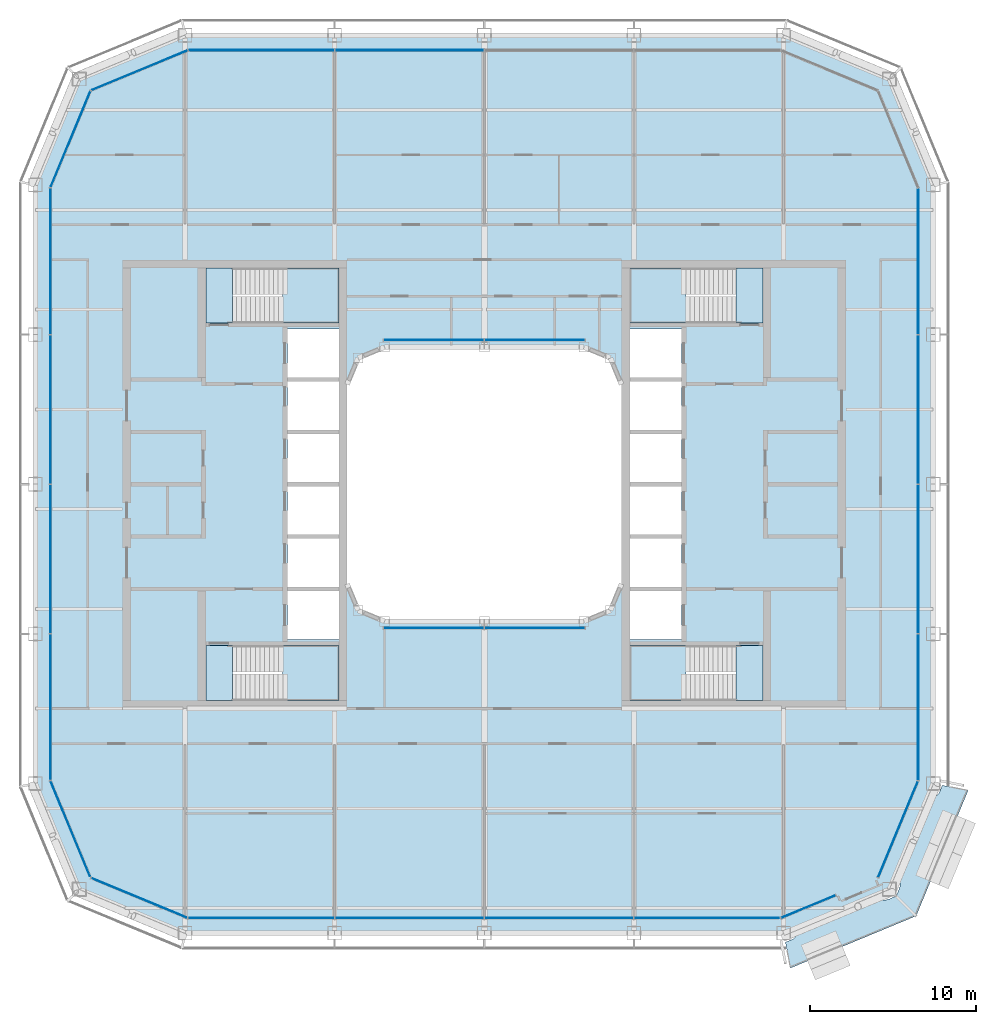
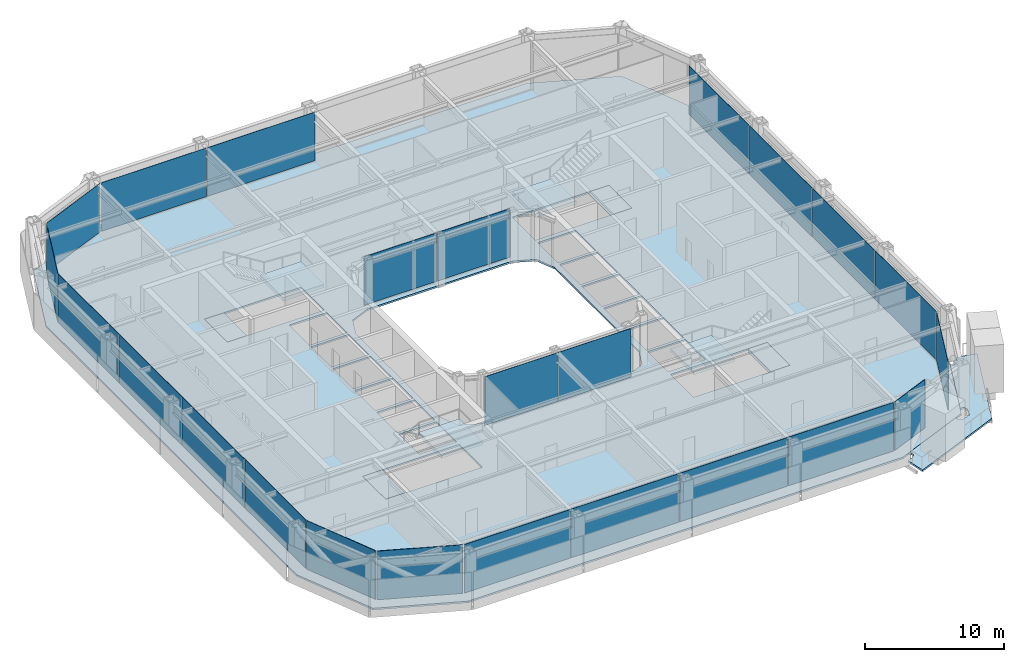
# One storey, part 11 of 22: 24 plates, 10 slabs, 16 elements without a shape of their own.
"""IFC4 building model written with IfcOpenShell, lengths in metres."""

from ifc_helpers import new_model, si_unit, direction, frame, origin, origin_2d, place, context, subcontext, project, spatial, polyline, rectangle, outline, extrude, material, layer, layer_set, type_object, element, aggregate, save


model = new_model("IFC4")

# Units and contexts
model_context = context("Model", 3, precision=1e-05, world=origin(), true_north=direction((0.0, 1.0)))
body_context = subcontext(model_context, "Body", "Model", "MODEL_VIEW")
ifc_project = project(units=[si_unit("LENGTHUNIT", "METRE"), si_unit("AREAUNIT", "SQUARE_METRE"), si_unit("VOLUMEUNIT", "CUBIC_METRE"), si_unit("PLANEANGLEUNIT", "RADIAN"), si_unit("MASSUNIT", "GRAM", prefix="KILO")], contexts=[model_context])

# Site, building, storey
site_placement = place(None, origin())
site = spatial("IfcSite", under=ifc_project, at=site_placement, CompositionType="ELEMENT")
building_placement = place(site_placement, origin())
building = spatial("IfcBuilding", under=site, at=building_placement, Name="Siwar Civic Tower", CompositionType="ELEMENT")
storey_placement = place(building_placement, frame((0.0, 0.0, 201.699951171875)))
storey = spatial("IfcBuildingStorey", under=building, at=storey_placement, Name="L43", CompositionType="ELEMENT", Elevation=201.699951171875)

# Stair, slabs
ifc_material_1 = material(Name="Concrete C40/50", Category="concrete")
stair_type = type_object("IfcStairType", Name="CORE-STAIR", PredefinedType="TWO_STRAIGHT_RUN_STAIR", material=ifc_material_1)
stair_1_placement = place(storey_placement, origin())
stair_1 = element("IfcStair", 1, at=stair_1_placement, inside=storey, type_object=stair_type, Name="Exit stair ST1", PredefinedType="TWO_STRAIGHT_RUN_STAIR")
ifc_material_2 = material(Name="Concrete C40/50", Category="concrete")
ifc_layer_1 = layer(ifc_material_2, 0.300048828125)
ifc_layer_set_1 = layer_set([ifc_layer_1], Name="Concrete C40/50")
slab_type_1 = type_object("IfcSlabType", Name="CORE-STAIR-LANDING", PredefinedType="LANDING", material=ifc_layer_set_1)
slab_1_placement = place(storey_placement, frame((0.0, 0.0, -0.300048828125)))
slab_1 = element("IfcSlab", 2, at=slab_1_placement, type_object=slab_type_1, Name="ST1 landing 1", PredefinedType="LANDING", context=body_context, shape_type="SweptSolid", body=[
    extrude(outline(polyline([(-15.14990234375, 13.0), (-16.75, 13.0), (-16.75, 9.699951171875), (-15.14990234375, 9.699951171875), (-15.14990234375, 13.0)])), origin(), (0.0, 0.0, 1.0), 0.300048828125),
])
slab_2_placement = place(storey_placement, frame((0.0, 0.0, 1.949951171875)))
slab_2 = element("IfcSlab", 3, at=slab_2_placement, type_object=slab_type_1, Name="ST1 landing 2", PredefinedType="LANDING", context=body_context, shape_type="SweptSolid", body=[
    extrude(outline(polyline([(-8.75, 13.0), (-12.139892578125, 13.0), (-12.139892578125, 9.699951171875), (-8.75, 9.699951171875), (-8.75, 13.0)])), origin(), (0.0, 0.0, 1.0), 0.300048828125),
])
aggregate(stair_1, [slab_1, slab_2])

stair_2_placement = place(storey_placement, origin())
stair_2 = element("IfcStair", 4, at=stair_2_placement, inside=storey, type_object=stair_type, Name="Exit stair ST2", PredefinedType="TWO_STRAIGHT_RUN_STAIR")
slab_3_placement = place(storey_placement, frame((0.0, 0.0, -0.300048828125)))
slab_3 = element("IfcSlab", 5, at=slab_3_placement, type_object=slab_type_1, Name="ST2 landing 1", PredefinedType="LANDING", context=body_context, shape_type="SweptSolid", body=[
    extrude(outline(polyline([(-15.14990234375, -9.699951171875), (-16.75, -9.699951171875), (-16.75, -13.0), (-15.14990234375, -13.0), (-15.14990234375, -9.699951171875)])), origin(), (0.0, 0.0, 1.0), 0.300048828125),
])
slab_4_placement = place(storey_placement, frame((0.0, 0.0, 1.949951171875)))
slab_4 = element("IfcSlab", 6, at=slab_4_placement, type_object=slab_type_1, Name="ST2 landing 2", PredefinedType="LANDING", context=body_context, shape_type="SweptSolid", body=[
    extrude(outline(polyline([(-8.75, -9.699951171875), (-12.139892578125, -9.699951171875), (-12.139892578125, -13.0), (-8.75, -13.0), (-8.75, -9.699951171875)])), origin(), (0.0, 0.0, 1.0), 0.300048828125),
])
aggregate(stair_2, [slab_3, slab_4])

stair_3_placement = place(storey_placement, origin())
stair_3 = element("IfcStair", 7, at=stair_3_placement, inside=storey, type_object=stair_type, Name="Exit stair ST3", PredefinedType="TWO_STRAIGHT_RUN_STAIR")
slab_5_placement = place(storey_placement, frame((0.0, 0.0, -0.300048828125)))
slab_5 = element("IfcSlab", 8, at=slab_5_placement, type_object=slab_type_1, Name="ST3 landing 1", PredefinedType="LANDING", context=body_context, shape_type="SweptSolid", body=[
    extrude(outline(polyline([(15.14990234375, 9.699951171875), (16.75, 9.699951171875), (16.75, 13.0), (15.14990234375, 13.0), (15.14990234375, 9.699951171875)])), origin(), (0.0, 0.0, 1.0), 0.300048828125),
])
slab_6_placement = place(storey_placement, frame((0.0, 0.0, 1.949951171875)))
slab_6 = element("IfcSlab", 9, at=slab_6_placement, type_object=slab_type_1, Name="ST3 landing 2", PredefinedType="LANDING", context=body_context, shape_type="SweptSolid", body=[
    extrude(outline(polyline([(8.75, 9.699951171875), (12.139892578125, 9.699951171875), (12.139892578125, 13.0), (8.75, 13.0), (8.75, 9.699951171875)])), origin(), (0.0, 0.0, 1.0), 0.300048828125),
])
aggregate(stair_3, [slab_5, slab_6])

stair_4_placement = place(storey_placement, origin())
stair_4 = element("IfcStair", 10, at=stair_4_placement, inside=storey, type_object=stair_type, Name="Exit stair ST4", PredefinedType="TWO_STRAIGHT_RUN_STAIR")
slab_7_placement = place(storey_placement, frame((0.0, 0.0, -0.300048828125)))
slab_7 = element("IfcSlab", 11, at=slab_7_placement, type_object=slab_type_1, Name="ST4 landing 1", PredefinedType="LANDING", context=body_context, shape_type="SweptSolid", body=[
    extrude(outline(polyline([(15.14990234375, -13.0), (16.75, -13.0), (16.75, -9.699951171875), (15.14990234375, -9.699951171875), (15.14990234375, -13.0)])), origin(), (0.0, 0.0, 1.0), 0.300048828125),
])
slab_8_placement = place(storey_placement, frame((0.0, 0.0, 1.949951171875)))
slab_8 = element("IfcSlab", 12, at=slab_8_placement, type_object=slab_type_1, Name="ST4 landing 2", PredefinedType="LANDING", context=body_context, shape_type="SweptSolid", body=[
    extrude(outline(polyline([(8.75, -13.0), (12.139892578125, -13.0), (12.139892578125, -9.699951171875), (8.75, -9.699951171875), (8.75, -13.0)])), origin(), (0.0, 0.0, 1.0), 0.300048828125),
])
aggregate(stair_4, [slab_7, slab_8])

# Slab
ifc_material_3 = material(Name="Concrete C40/50", Category="concrete")
ifc_layer_2 = layer(ifc_material_3, 0.14990234375)
ifc_layer_set_2 = layer_set([ifc_layer_2], Name="Concrete C40/50")
slab_type_2 = type_object("IfcSlabType", Name="ENV-BALCONY DECK 150", PredefinedType="FLOOR", material=ifc_layer_set_2)
slab_9_placement = place(storey_placement, frame((0.0, 0.0, -0.1494140625)))
element("IfcSlab", 13, at=slab_9_placement, inside=storey, type_object=slab_type_2, Name="Tree balcony deck SE", PredefinedType="FLOOR", context=body_context, shape_type="SweptSolid", body=[
    extrude(outline(polyline([(24.657470703125, -24.82080078125), (24.657470703125, -24.82080078125), (24.649658203125, -24.82421875), (24.40869140625, -24.924560546875), (24.362060546875, -24.94384765625), (24.35986328125, -24.94482421875), (24.305419921875, -24.96533203125), (24.300537109375, -24.967041015625), (24.244873046875, -24.98388671875), (24.238037109375, -24.985595703125), (24.189208984375, -24.99560546875), (24.183837890625, -24.99658203125), (24.13427734375, -25.002685546875), (24.12890625, -25.003173828125), (24.0791015625, -25.006103515625), (24.073974609375, -25.006103515625), (24.024169921875, -25.005615234375), (24.0185546875, -25.00537109375), (24.0126953125, -25.004638671875), (23.970947265625, -24.99755859375), (23.96337890625, -24.995849609375), (23.9560546875, -24.993408203125), (23.922607421875, -24.98046875), (23.91748046875, -24.978271484375), (23.88525390625, -24.962646484375), (23.880615234375, -24.96044921875), (23.849365234375, -24.942626953125), (23.84326171875, -24.93896484375), (23.837646484375, -24.9345703125), (23.83251953125, -24.9296875), (23.810546875, -24.906982421875), (23.804931640625, -24.900634765625), (23.80029296875, -24.8935546875), (23.796142578125, -24.885986328125), (23.78369140625, -24.85888671875), (23.78173828125, -24.85400390625), (23.771240234375, -24.826171875), (23.768798828125, -24.818115234375), (23.76708984375, -24.8095703125), (23.7666015625, -24.80126953125), (23.765869140625, -24.769775390625), (23.76611328125, -24.762451171875), (23.766845703125, -24.75537109375), (23.7685546875, -24.74853515625), (23.77783203125, -24.7138671875), (23.779541015625, -24.708984375), (23.791259765625, -24.675048828125), (23.793212890625, -24.669921875), (23.8076171875, -24.636962890625), (23.81103515625, -24.630126953125), (23.815185546875, -24.62353515625), (23.839599609375, -24.5888671875), (23.84326171875, -24.58447265625), (23.846923828125, -24.580078125), (23.85009765625, -24.57666015625), (18.531494140625, -26.77978515625), (18.5654296875, -26.7802734375), (18.5712890625, -26.780517578125), (18.576904296875, -26.78125), (18.61865234375, -26.788330078125), (18.626220703125, -26.789794921875), (18.633544921875, -26.792236328125), (18.6669921875, -26.805419921875), (18.672119140625, -26.8076171875), (18.70458984375, -26.822998046875), (18.709228515625, -26.825439453125), (18.740234375, -26.84326171875), (18.746337890625, -26.846923828125), (18.751953125, -26.851318359375), (18.75732421875, -26.856201171875), (18.779052734375, -26.87890625), (18.78466796875, -26.88525390625), (18.78955078125, -26.892333984375), (18.79345703125, -26.899658203125), (18.805908203125, -26.927001953125), (18.80810546875, -26.931884765625), (18.818603515625, -26.959716796875), (18.821044921875, -26.9677734375), (18.82275390625, -26.97607421875), (18.8232421875, -26.984619140625), (18.823974609375, -27.01611328125), (18.82373046875, -27.023193359375), (18.82275390625, -27.0302734375), (18.8212890625, -27.037353515625), (18.811767578125, -27.072021484375), (18.810302734375, -27.076904296875), (18.79833984375, -27.11083984375), (18.79638671875, -27.115966796875), (18.7822265625, -27.14892578125), (18.77880859375, -27.15576171875), (18.774658203125, -27.162353515625), (18.75, -27.197021484375), (18.74658203125, -27.201416015625), (18.74267578125, -27.205810546875), (18.7080078125, -27.241455078125), (18.704345703125, -27.2451171875), (18.667236328125, -27.278564453125), (18.663330078125, -27.281982421875), (18.623779296875, -27.312744140625), (18.619384765625, -27.31591796875), (18.577880859375, -27.343505859375), (18.57177734375, -27.34716796875), (18.520751953125, -27.374755859375), (18.51611328125, -27.377197265625), (18.463134765625, -27.4013671875), (18.4609375, -27.40234375), (18.453125, -27.405517578125), (18.425048828125, -27.417236328125), (18.425048828125, -27.425048828125), (18.406494140625, -27.425048828125), (18.17333984375, -27.522216796875), (18.16552734375, -27.525390625), (18.16552734375, -27.525390625), (18.15869140625, -27.52783203125), (18.13916015625, -27.533935546875), (18.13232421875, -27.53564453125), (18.12548828125, -27.53662109375), (18.107177734375, -27.538818359375), (18.417724609375, -29.10009765625), (25.97119140625, -25.97119140625), (29.10009765625, -18.417724609375), (27.5361328125, -18.106689453125), (27.5361328125, -18.107421875), (27.535400390625, -18.1240234375), (27.53466796875, -18.1328125), (27.53271484375, -18.141357421875), (27.5283203125, -18.156982421875), (27.525390625, -18.16552734375), (27.5234375, -18.170166015625), (27.522216796875, -18.17333984375), (27.515625, -18.18896484375), (27.49951171875, -18.227783203125), (27.494140625, -18.240234375), (27.425048828125, -18.406494140625), (27.425048828125, -18.425048828125), (27.417236328125, -18.425048828125), (27.405517578125, -18.453125), (27.40234375, -18.4609375), (27.4013671875, -18.463134765625), (27.377197265625, -18.51611328125), (27.374755859375, -18.520751953125), (27.34716796875, -18.57177734375), (27.343505859375, -18.577880859375), (27.31591796875, -18.619384765625), (27.312744140625, -18.623779296875), (27.281982421875, -18.663330078125), (27.278564453125, -18.667236328125), (27.2451171875, -18.704345703125), (27.241455078125, -18.7080078125), (27.205810546875, -18.74267578125), (27.201416015625, -18.74658203125), (27.197021484375, -18.75), (27.162353515625, -18.774658203125), (27.15576171875, -18.77880859375), (27.14892578125, -18.7822265625), (27.115966796875, -18.79638671875), (27.11083984375, -18.79833984375), (27.076904296875, -18.810302734375), (27.072021484375, -18.811767578125), (27.037353515625, -18.8212890625), (27.0302734375, -18.82275390625), (27.023193359375, -18.82373046875), (27.01611328125, -18.823974609375), (26.984619140625, -18.8232421875), (26.97607421875, -18.82275390625), (26.9677734375, -18.821044921875), (26.959716796875, -18.818603515625), (26.931884765625, -18.80810546875), (26.927001953125, -18.805908203125), (26.899658203125, -18.79345703125), (26.892333984375, -18.78955078125), (26.88525390625, -18.78466796875), (26.87890625, -18.779052734375), (26.856201171875, -18.75732421875), (26.851318359375, -18.751953125), (26.846923828125, -18.746337890625), (26.84326171875, -18.740234375), (26.825439453125, -18.709228515625), (26.822998046875, -18.70458984375), (26.8076171875, -18.672119140625), (26.805419921875, -18.6669921875), (26.792236328125, -18.633544921875), (26.789794921875, -18.626220703125), (26.788330078125, -18.61865234375), (26.78125, -18.576904296875), (26.780517578125, -18.5712890625), (26.7802734375, -18.5654296875), (26.77978515625, -18.531494140625), (24.57666015625, -23.85009765625), (24.580078125, -23.846923828125), (24.58447265625, -23.84326171875), (24.5888671875, -23.839599609375), (24.62353515625, -23.815185546875), (24.630126953125, -23.81103515625), (24.636962890625, -23.8076171875), (24.669921875, -23.793212890625), (24.675048828125, -23.791259765625), (24.708984375, -23.779541015625), (24.7138671875, -23.77783203125), (24.74853515625, -23.7685546875), (24.75537109375, -23.766845703125), (24.762451171875, -23.76611328125), (24.769775390625, -23.765869140625), (24.80126953125, -23.7666015625), (24.8095703125, -23.76708984375), (24.818115234375, -23.768798828125), (24.826171875, -23.771240234375), (24.85400390625, -23.78173828125), (24.85888671875, -23.78369140625), (24.885986328125, -23.796142578125), (24.8935546875, -23.80029296875), (24.900634765625, -23.804931640625), (24.906982421875, -23.810546875), (24.9296875, -23.83251953125), (24.9345703125, -23.837646484375), (24.93896484375, -23.84326171875), (24.942626953125, -23.849365234375), (24.96044921875, -23.880615234375), (24.962646484375, -23.88525390625), (24.978271484375, -23.91748046875), (24.98046875, -23.922607421875), (24.993408203125, -23.9560546875), (24.995849609375, -23.96337890625), (24.99755859375, -23.970947265625), (25.004638671875, -24.0126953125), (25.00537109375, -24.0185546875), (25.005615234375, -24.024169921875), (25.006103515625, -24.073974609375), (25.006103515625, -24.0791015625), (25.003173828125, -24.12890625), (25.002685546875, -24.13427734375), (24.99658203125, -24.183837890625), (24.99560546875, -24.189208984375), (24.985595703125, -24.238037109375), (24.98388671875, -24.244873046875), (24.967041015625, -24.300537109375), (24.96533203125, -24.305419921875), (24.94482421875, -24.35986328125), (24.94384765625, -24.362060546875), (24.924560546875, -24.40869140625), (24.82421875, -24.649658203125), (24.82080078125, -24.657470703125), (24.81689453125, -24.66552734375), (24.808837890625, -24.6796875), (24.80419921875, -24.68701171875), (24.798583984375, -24.693603515625), (24.7890625, -24.7041015625), (24.7890625, -24.7890625), (24.712646484375, -24.7890625), (24.695556640625, -24.801025390625), (24.686279296875, -24.806640625), (24.662353515625, -24.818603515625), (24.657470703125, -24.82080078125), (24.657470703125, -24.82080078125), (24.657470703125, -24.82080078125), (24.657470703125, -24.82080078125)])), origin(), (0.0, 0.0, 1.0), 0.1494140625),
])

# Curtain wall, plates
ifc_material_4 = material(Name="Aluminium and glass", Category="aluminium")
ifc_layer_3 = layer(ifc_material_4, 0.179931640625)
ifc_layer_set_3 = layer_set([ifc_layer_3], Name="Aluminium and glass")
curtain_wall_type_1 = type_object("IfcCurtainWallType", Name="ENV-CW-C", PredefinedType="NOTDEFINED", material=ifc_layer_set_3)
curtain_wall_1_placement = place(storey_placement, origin())
curtain_wall_1 = element("IfcCurtainWall", 14, at=curtain_wall_1_placement, inside=storey, type_object=curtain_wall_type_1, Name="Curtain wall C S", PredefinedType="NOTDEFINED")
ifc_material_5 = material(Name="Glass clear laminated", Category="glass")
ifc_layer_4 = layer(ifc_material_5, 0.031982421875)
ifc_layer_set_4 = layer_set([ifc_layer_4], Name="Glass clear laminated")
plate_type_1 = type_object("IfcPlateType", Name="ENV-PANEL-C", PredefinedType="CURTAIN_PANEL", material=ifc_layer_set_4)
plate_1_placement = place(storey_placement, frame((-13.410400390625, -26.10009765625, 0.10009765625), z_axis=(0.0, 0.0, 1.0), x_axis=(1.0, 0.0, 0.0)))
plate_1 = element("IfcPlate", 15, at=plate_1_placement, type_object=plate_type_1, Name="Curtain panel C S 1", PredefinedType="CURTAIN_PANEL", context=body_context, shape_type="SweptSolid", body=[
    extrude(rectangle(XDim=8.760986328125, YDim=0.031982421875, at=origin_2d()), origin(), (0.0, 0.0, 1.0), 4.25),
])
plate_2_placement = place(storey_placement, frame((-4.5, -26.10009765625, 0.10009765625), z_axis=(0.0, 0.0, 1.0), x_axis=(1.0, 0.0, 0.0)))
plate_2 = element("IfcPlate", 16, at=plate_2_placement, type_object=plate_type_1, Name="Curtain panel C S 2", PredefinedType="CURTAIN_PANEL", context=body_context, shape_type="SweptSolid", body=[
    extrude(rectangle(XDim=8.93994140625, YDim=0.031982421875, at=origin_2d()), origin(), (0.0, 0.0, 1.0), 4.25),
])
plate_3_placement = place(storey_placement, frame((4.5, -26.10009765625, 0.10009765625), z_axis=(0.0, 0.0, 1.0), x_axis=(1.0, 0.0, 0.0)))
plate_3 = element("IfcPlate", 17, at=plate_3_placement, type_object=plate_type_1, Name="Curtain panel C S 3", PredefinedType="CURTAIN_PANEL", context=body_context, shape_type="SweptSolid", body=[
    extrude(rectangle(XDim=8.93994140625, YDim=0.031982421875, at=origin_2d()), origin(), (0.0, 0.0, 1.0), 4.25),
])
plate_4_placement = place(storey_placement, frame((13.373046875, -26.10009765625, 0.10009765625), z_axis=(0.0, 0.0, 1.0), x_axis=(1.0, 0.0, 0.0)))
plate_4 = element("IfcPlate", 18, at=plate_4_placement, type_object=plate_type_1, Name="Curtain panel C S 4", PredefinedType="CURTAIN_PANEL", context=body_context, shape_type="SweptSolid", body=[
    extrude(rectangle(XDim=8.68603515625, YDim=0.031982421875, at=origin_2d()), origin(), (0.0, 0.0, 1.0), 4.25),
])
aggregate(curtain_wall_1, [plate_1, plate_2, plate_3, plate_4])

curtain_wall_2_placement = place(storey_placement, origin())
curtain_wall_2 = element("IfcCurtainWall", 19, at=curtain_wall_2_placement, inside=storey, type_object=curtain_wall_type_1, Name="Curtain wall C E", PredefinedType="NOTDEFINED")
plate_5_placement = place(storey_placement, frame((26.10009765625, -13.410400390625, 0.10009765625), z_axis=(0.0, 0.0, 1.0), x_axis=(0.0, 1.0, 0.0)))
plate_5 = element("IfcPlate", 20, at=plate_5_placement, type_object=plate_type_1, Name="Curtain panel C E 1", PredefinedType="CURTAIN_PANEL", context=body_context, shape_type="SweptSolid", body=[
    extrude(rectangle(XDim=8.760986328125, YDim=0.031982421875, at=origin_2d()), origin(), (0.0, 0.0, 1.0), 4.25),
])
plate_6_placement = place(storey_placement, frame((26.10009765625, -4.5, 0.10009765625), z_axis=(0.0, 0.0, 1.0), x_axis=(0.0, 1.0, 0.0)))
plate_6 = element("IfcPlate", 21, at=plate_6_placement, type_object=plate_type_1, Name="Curtain panel C E 2", PredefinedType="CURTAIN_PANEL", context=body_context, shape_type="SweptSolid", body=[
    extrude(rectangle(XDim=8.93994140625, YDim=0.031982421875, at=origin_2d()), origin(), (0.0, 0.0, 1.0), 4.25),
])
plate_7_placement = place(storey_placement, frame((26.10009765625, 4.5, 0.10009765625), z_axis=(0.0, 0.0, 1.0), x_axis=(0.0, 1.0, 0.0)))
plate_7 = element("IfcPlate", 22, at=plate_7_placement, type_object=plate_type_1, Name="Curtain panel C E 3", PredefinedType="CURTAIN_PANEL", context=body_context, shape_type="SweptSolid", body=[
    extrude(rectangle(XDim=8.93994140625, YDim=0.031982421875, at=origin_2d()), origin(), (0.0, 0.0, 1.0), 4.25),
])
plate_8_placement = place(storey_placement, frame((26.10009765625, 13.373046875, 0.10009765625), z_axis=(0.0, 0.0, 1.0), x_axis=(0.0, 1.0, 0.0)))
plate_8 = element("IfcPlate", 23, at=plate_8_placement, type_object=plate_type_1, Name="Curtain panel C E 4", PredefinedType="CURTAIN_PANEL", context=body_context, shape_type="SweptSolid", body=[
    extrude(rectangle(XDim=8.68603515625, YDim=0.031982421875, at=origin_2d()), origin(), (0.0, 0.0, 1.0), 4.25),
])
aggregate(curtain_wall_2, [plate_5, plate_6, plate_7, plate_8])

curtain_wall_3_placement = place(storey_placement, origin())
curtain_wall_3 = element("IfcCurtainWall", 24, at=curtain_wall_3_placement, inside=storey, type_object=curtain_wall_type_1, Name="Curtain wall C N", PredefinedType="NOTDEFINED")
plate_9_placement = place(storey_placement, frame((-4.5, 26.10009765625, 0.10009765625), z_axis=(0.0, 0.0, 1.0), x_axis=(-1.0, 0.0, 0.0)))
plate_9 = element("IfcPlate", 25, at=plate_9_placement, type_object=plate_type_1, Name="Curtain panel C N 3", PredefinedType="CURTAIN_PANEL", context=body_context, shape_type="SweptSolid", body=[
    extrude(rectangle(XDim=8.93994140625, YDim=0.031982421875, at=origin_2d()), origin(), (0.0, 0.0, 1.0), 4.25),
])
plate_10_placement = place(storey_placement, frame((-13.373046875, 26.10009765625, 0.10009765625), z_axis=(0.0, 0.0, 1.0), x_axis=(-1.0, 0.0, 0.0)))
plate_10 = element("IfcPlate", 26, at=plate_10_placement, type_object=plate_type_1, Name="Curtain panel C N 4", PredefinedType="CURTAIN_PANEL", context=body_context, shape_type="SweptSolid", body=[
    extrude(rectangle(XDim=8.68603515625, YDim=0.031982421875, at=origin_2d()), origin(), (0.0, 0.0, 1.0), 4.25),
])
aggregate(curtain_wall_3, [plate_9, plate_10])

curtain_wall_4_placement = place(storey_placement, origin())
curtain_wall_4 = element("IfcCurtainWall", 27, at=curtain_wall_4_placement, inside=storey, type_object=curtain_wall_type_1, Name="Curtain wall C W", PredefinedType="NOTDEFINED")
plate_11_placement = place(storey_placement, frame((-26.10009765625, 13.410400390625, 0.10009765625), z_axis=(0.0, 0.0, 1.0), x_axis=(0.0, -1.0, 0.0)))
plate_11 = element("IfcPlate", 28, at=plate_11_placement, type_object=plate_type_1, Name="Curtain panel C W 1", PredefinedType="CURTAIN_PANEL", context=body_context, shape_type="SweptSolid", body=[
    extrude(rectangle(XDim=8.760986328125, YDim=0.031982421875, at=origin_2d()), origin(), (0.0, 0.0, 1.0), 4.25),
])
plate_12_placement = place(storey_placement, frame((-26.10009765625, 4.5, 0.10009765625), z_axis=(0.0, 0.0, 1.0), x_axis=(0.0, -1.0, 0.0)))
plate_12 = element("IfcPlate", 29, at=plate_12_placement, type_object=plate_type_1, Name="Curtain panel C W 2", PredefinedType="CURTAIN_PANEL", context=body_context, shape_type="SweptSolid", body=[
    extrude(rectangle(XDim=8.93994140625, YDim=0.031982421875, at=origin_2d()), origin(), (0.0, 0.0, 1.0), 4.25),
])
plate_13_placement = place(storey_placement, frame((-26.10009765625, -4.5, 0.10009765625), z_axis=(0.0, 0.0, 1.0), x_axis=(0.0, -1.0, 0.0)))
plate_13 = element("IfcPlate", 30, at=plate_13_placement, type_object=plate_type_1, Name="Curtain panel C W 3", PredefinedType="CURTAIN_PANEL", context=body_context, shape_type="SweptSolid", body=[
    extrude(rectangle(XDim=8.93994140625, YDim=0.031982421875, at=origin_2d()), origin(), (0.0, 0.0, 1.0), 4.25),
])
plate_14_placement = place(storey_placement, frame((-26.10009765625, -13.373046875, 0.10009765625), z_axis=(0.0, 0.0, 1.0), x_axis=(0.0, -1.0, 0.0)))
plate_14 = element("IfcPlate", 31, at=plate_14_placement, type_object=plate_type_1, Name="Curtain panel C W 4", PredefinedType="CURTAIN_PANEL", context=body_context, shape_type="SweptSolid", body=[
    extrude(rectangle(XDim=8.68603515625, YDim=0.031982421875, at=origin_2d()), origin(), (0.0, 0.0, 1.0), 4.25),
])
aggregate(curtain_wall_4, [plate_11, plate_12, plate_13, plate_14])

# Curtain wall, plate
ifc_material_6 = material(Name="Aluminium clad insulated panel", Category="aluminium")
ifc_layer_5 = layer(ifc_material_6, 0.179931640625)
ifc_layer_set_5 = layer_set([ifc_layer_5], Name="Aluminium clad insulated panel")
curtain_wall_type_2 = type_object("IfcCurtainWallType", Name="ENV-CW-CX", PredefinedType="NOTDEFINED", material=ifc_layer_set_5)
curtain_wall_5_placement = place(storey_placement, origin())
curtain_wall_5 = element("IfcCurtainWall", 32, at=curtain_wall_5_placement, inside=storey, type_object=curtain_wall_type_2, Name="Curtain wall C SE1", PredefinedType="NOTDEFINED")
ifc_material_7 = material(Name="Aluminium clad insulated panel", Category="aluminium")
ifc_layer_6 = layer(ifc_material_7, 0.031982421875)
ifc_layer_set_6 = layer_set([ifc_layer_6], Name="Aluminium clad insulated panel")
plate_type_2 = type_object("IfcPlateType", Name="ENV-PANEL-CX", PredefinedType="CURTAIN_PANEL", material=ifc_layer_set_6)
plate_15_placement = place(storey_placement, frame((19.4873046875, -25.40966796875, 0.10009765625), z_axis=(0.0, 0.0, 1.0), x_axis=(0.923879532511, 0.382683432365, 0.0)))
plate_15 = element("IfcPlate", 33, at=plate_15_placement, type_object=plate_type_2, Name="Curtain panel C SE1 1", PredefinedType="CURTAIN_PANEL", context=body_context, shape_type="SweptSolid", body=[
    extrude(rectangle(XDim=3.54736328125, YDim=0.031982421875, at=origin_2d()), origin(), (0.0, 0.0, 1.0), 4.25),
])
aggregate(curtain_wall_5, [plate_15])

curtain_wall_6_placement = place(storey_placement, origin())
curtain_wall_6 = element("IfcCurtainWall", 34, at=curtain_wall_6_placement, inside=storey, type_object=curtain_wall_type_2, Name="Curtain wall C SE2", PredefinedType="NOTDEFINED")
plate_16_placement = place(storey_placement, frame((24.873291015625, -20.78271484375, 0.10009765625), z_axis=(0.0, 0.0, 1.0), x_axis=(0.382683432365, 0.923879532511, 0.0)))
plate_16 = element("IfcPlate", 35, at=plate_16_placement, type_object=plate_type_2, Name="Curtain panel C SE2 1", PredefinedType="CURTAIN_PANEL", context=body_context, shape_type="SweptSolid", body=[
    extrude(rectangle(XDim=6.20166015625, YDim=0.031982421875, at=origin_2d()), origin(), (0.0, 0.0, 1.0), 4.25),
])
aggregate(curtain_wall_6, [plate_16])

curtain_wall_7_placement = place(storey_placement, origin())
curtain_wall_7 = element("IfcCurtainWall", 36, at=curtain_wall_7_placement, inside=storey, type_object=curtain_wall_type_2, Name="Curtain wall C NW1", PredefinedType="NOTDEFINED")
plate_17_placement = place(storey_placement, frame((-20.71337890625, 24.90185546875, 0.10009765625), z_axis=(0.0, 0.0, 1.0), x_axis=(-0.923879532511, -0.382683432365, 0.0)))
plate_17 = element("IfcPlate", 37, at=plate_17_placement, type_object=plate_type_2, Name="Curtain panel C NW1 1", PredefinedType="CURTAIN_PANEL", context=body_context, shape_type="SweptSolid", body=[
    extrude(rectangle(XDim=6.20166015625, YDim=0.031982421875, at=origin_2d()), origin(), (0.0, 0.0, 1.0), 4.25),
])
aggregate(curtain_wall_7, [plate_17])

curtain_wall_8_placement = place(storey_placement, origin())
curtain_wall_8 = element("IfcCurtainWall", 38, at=curtain_wall_8_placement, inside=storey, type_object=curtain_wall_type_2, Name="Curtain wall C NW2", PredefinedType="NOTDEFINED")
plate_18_placement = place(storey_placement, frame((-24.873291015625, 20.78271484375, 0.10009765625), z_axis=(0.0, 0.0, 1.0), x_axis=(-0.382683432365, -0.923879532511, 0.0)))
plate_18 = element("IfcPlate", 39, at=plate_18_placement, type_object=plate_type_2, Name="Curtain panel C NW2 1", PredefinedType="CURTAIN_PANEL", context=body_context, shape_type="SweptSolid", body=[
    extrude(rectangle(XDim=6.20166015625, YDim=0.031982421875, at=origin_2d()), origin(), (0.0, 0.0, 1.0), 4.25),
])
aggregate(curtain_wall_8, [plate_18])

curtain_wall_9_placement = place(storey_placement, origin())
curtain_wall_9 = element("IfcCurtainWall", 40, at=curtain_wall_9_placement, inside=storey, type_object=curtain_wall_type_2, Name="Curtain wall C SW1", PredefinedType="NOTDEFINED")
plate_19_placement = place(storey_placement, frame((-24.90185546875, -20.71337890625, 0.10009765625), z_axis=(0.0, 0.0, 1.0), x_axis=(0.382683432365, -0.923879532511, 0.0)))
plate_19 = element("IfcPlate", 41, at=plate_19_placement, type_object=plate_type_2, Name="Curtain panel C SW1 1", PredefinedType="CURTAIN_PANEL", context=body_context, shape_type="SweptSolid", body=[
    extrude(rectangle(XDim=6.20166015625, YDim=0.031982421875, at=origin_2d()), origin(), (0.0, 0.0, 1.0), 4.25),
])
aggregate(curtain_wall_9, [plate_19])

curtain_wall_10_placement = place(storey_placement, origin())
curtain_wall_10 = element("IfcCurtainWall", 42, at=curtain_wall_10_placement, inside=storey, type_object=curtain_wall_type_2, Name="Curtain wall C SW2", PredefinedType="NOTDEFINED")
plate_20_placement = place(storey_placement, frame((-20.78271484375, -24.873291015625, 0.10009765625), z_axis=(0.0, 0.0, 1.0), x_axis=(0.923879532511, -0.382683432365, 0.0)))
plate_20 = element("IfcPlate", 43, at=plate_20_placement, type_object=plate_type_2, Name="Curtain panel C SW2 1", PredefinedType="CURTAIN_PANEL", context=body_context, shape_type="SweptSolid", body=[
    extrude(rectangle(XDim=6.20166015625, YDim=0.031982421875, at=origin_2d()), origin(), (0.0, 0.0, 1.0), 4.25),
])
aggregate(curtain_wall_10, [plate_20])

# Curtain wall, plates
ifc_material_8 = material(Name="Aluminium and glass", Category="aluminium")
ifc_layer_7 = layer(ifc_material_8, 0.179931640625)
ifc_layer_set_7 = layer_set([ifc_layer_7], Name="Aluminium and glass")
curtain_wall_type_3 = type_object("IfcCurtainWallType", Name="ENV-CW-W", PredefinedType="NOTDEFINED", material=ifc_layer_set_7)
curtain_wall_11_placement = place(storey_placement, origin())
curtain_wall_11 = element("IfcCurtainWall", 44, at=curtain_wall_11_placement, inside=storey, type_object=curtain_wall_type_3, Name="Curtain wall W WS", PredefinedType="NOTDEFINED")
ifc_material_9 = material(Name="Glass clear laminated", Category="glass")
ifc_layer_8 = layer(ifc_material_9, 0.031982421875)
ifc_layer_set_8 = layer_set([ifc_layer_8], Name="Glass clear laminated")
plate_type_3 = type_object("IfcPlateType", Name="ENV-PANEL-W", PredefinedType="CURTAIN_PANEL", material=ifc_layer_set_8)
plate_21_placement = place(storey_placement, frame((-3.040771484375, -8.659912109375, 0.10009765625), z_axis=(0.0, 0.0, 1.0), x_axis=(1.0, 0.0, 0.0)))
plate_21 = element("IfcPlate", 45, at=plate_21_placement, type_object=plate_type_3, Name="Curtain panel W WS 1", PredefinedType="CURTAIN_PANEL", context=body_context, shape_type="SweptSolid", body=[
    extrude(rectangle(XDim=6.021484375, YDim=0.031982421875, at=origin_2d()), origin(), (0.0, 0.0, 1.0), 4.25),
])
plate_22_placement = place(storey_placement, frame((3.040771484375, -8.659912109375, 0.10009765625), z_axis=(0.0, 0.0, 1.0), x_axis=(1.0, 0.0, 0.0)))
plate_22 = element("IfcPlate", 46, at=plate_22_placement, type_object=plate_type_3, Name="Curtain panel W WS 2", PredefinedType="CURTAIN_PANEL", context=body_context, shape_type="SweptSolid", body=[
    extrude(rectangle(XDim=6.021484375, YDim=0.031982421875, at=origin_2d()), origin(), (0.0, 0.0, 1.0), 4.25),
])
aggregate(curtain_wall_11, [plate_21, plate_22])

curtain_wall_12_placement = place(storey_placement, origin())
curtain_wall_12 = element("IfcCurtainWall", 47, at=curtain_wall_12_placement, inside=storey, type_object=curtain_wall_type_3, Name="Curtain wall W WN", PredefinedType="NOTDEFINED")
plate_23_placement = place(storey_placement, frame((3.040771484375, 8.659912109375, 0.10009765625), z_axis=(0.0, 0.0, 1.0), x_axis=(-1.0, 0.0, 0.0)))
plate_23 = element("IfcPlate", 48, at=plate_23_placement, type_object=plate_type_3, Name="Curtain panel W WN 1", PredefinedType="CURTAIN_PANEL", context=body_context, shape_type="SweptSolid", body=[
    extrude(rectangle(XDim=6.021484375, YDim=0.031982421875, at=origin_2d()), origin(), (0.0, 0.0, 1.0), 4.25),
])
plate_24_placement = place(storey_placement, frame((-3.040771484375, 8.659912109375, 0.10009765625), z_axis=(0.0, 0.0, 1.0), x_axis=(-1.0, 0.0, 0.0)))
plate_24 = element("IfcPlate", 49, at=plate_24_placement, type_object=plate_type_3, Name="Curtain panel W WN 2", PredefinedType="CURTAIN_PANEL", context=body_context, shape_type="SweptSolid", body=[
    extrude(rectangle(XDim=6.021484375, YDim=0.031982421875, at=origin_2d()), origin(), (0.0, 0.0, 1.0), 4.25),
])
aggregate(curtain_wall_12, [plate_23, plate_24])

# Slab
ifc_material_10 = material(Name="Concrete C40/50", Category="concrete")
ifc_layer_9 = layer(ifc_material_10, 0.14990234375)
ifc_layer_set_9 = layer_set([ifc_layer_9], Name="Concrete C40/50")
slab_type_3 = type_object("IfcSlabType", Name="STR-FLOOR-DECK-150", PredefinedType="FLOOR", material=ifc_layer_set_9)
slab_10_placement = place(storey_placement, frame((0.0, 0.0, -0.14990234375)))
element("IfcSlab", 50, at=slab_10_placement, inside=storey, type_object=slab_type_3, Name="L43/slab/1", PredefinedType="FLOOR", context=body_context, shape_type="SweptSolid", body=[
    extrude(outline(polyline([(-18.0, -27.0), (18.0, -27.0), (24.364013671875, -24.364013671875), (27.0, -18.0), (27.0, 18.0), (24.364013671875, 24.364013671875), (18.0, 27.0), (-18.0, 27.0), (-24.364013671875, 24.364013671875), (-27.0, 18.0), (-27.0, -18.0), (-24.364013671875, -24.364013671875), (-18.0, -27.0)]), holes=[polyline([(16.75, 13.0), (16.75, 9.699951171875), (8.75, 9.699951171875), (8.75, 13.0), (16.75, 13.0)]), polyline([(8.75, -9.699951171875), (16.75, -9.699951171875), (16.75, -13.0), (8.75, -13.0), (8.75, -9.699951171875)]), polyline([(11.85009765625, 9.324951171875), (11.85009765625, 6.425048828125), (8.75, 6.425048828125), (8.75, 9.324951171875), (11.85009765625, 9.324951171875)]), polyline([(8.75, 6.175048828125), (11.85009765625, 6.175048828125), (11.85009765625, 3.27490234375), (8.75, 3.27490234375), (8.75, 6.175048828125)]), polyline([(8.75, 3.02490234375), (11.85009765625, 3.02490234375), (11.85009765625, 0.125), (8.75, 0.125), (8.75, 3.02490234375)]), polyline([(8.75, -0.125), (11.85009765625, -0.125), (11.85009765625, -3.02490234375), (8.75, -3.02490234375), (8.75, -0.125)]), polyline([(8.75, -3.27490234375), (11.85009765625, -3.27490234375), (11.85009765625, -6.175048828125), (8.75, -6.175048828125), (8.75, -3.27490234375)]), polyline([(8.75, -6.425048828125), (11.85009765625, -6.425048828125), (11.85009765625, -9.324951171875), (8.75, -9.324951171875), (8.75, -6.425048828125)]), polyline([(-6.0, 8.25), (6.0, 8.25), (7.591064453125, 7.591064453125), (8.25, 6.0), (8.25, -6.0), (7.591064453125, -7.591064453125), (6.0, -8.25), (-6.0, -8.25), (-7.591064453125, -7.591064453125), (-8.25, -6.0), (-8.25, 6.0), (-7.591064453125, 7.591064453125), (-6.0, 8.25)]), polyline([(-8.75, -13.0), (-16.75, -13.0), (-16.75, -9.699951171875), (-8.75, -9.699951171875), (-8.75, -13.0)]), polyline([(-8.75, 9.699951171875), (-16.75, 9.699951171875), (-16.75, 13.0), (-8.75, 13.0), (-8.75, 9.699951171875)]), polyline([(-8.75, 6.425048828125), (-11.85009765625, 6.425048828125), (-11.85009765625, 9.324951171875), (-8.75, 9.324951171875), (-8.75, 6.425048828125)]), polyline([(-8.75, 3.27490234375), (-11.85009765625, 3.27490234375), (-11.85009765625, 6.175048828125), (-8.75, 6.175048828125), (-8.75, 3.27490234375)]), polyline([(-8.75, 0.125), (-11.85009765625, 0.125), (-11.85009765625, 3.02490234375), (-8.75, 3.02490234375), (-8.75, 0.125)]), polyline([(-8.75, -3.02490234375), (-11.85009765625, -3.02490234375), (-11.85009765625, -0.125), (-8.75, -0.125), (-8.75, -3.02490234375)]), polyline([(-8.75, -6.175048828125), (-11.85009765625, -6.175048828125), (-11.85009765625, -3.27490234375), (-8.75, -3.27490234375), (-8.75, -6.175048828125)]), polyline([(-8.75, -9.324951171875), (-11.85009765625, -9.324951171875), (-11.85009765625, -6.425048828125), (-8.75, -6.425048828125), (-8.75, -9.324951171875)])]), origin(), (0.0, 0.0, 1.0), 0.14990234375),
])

save(model, "model.ifc")
